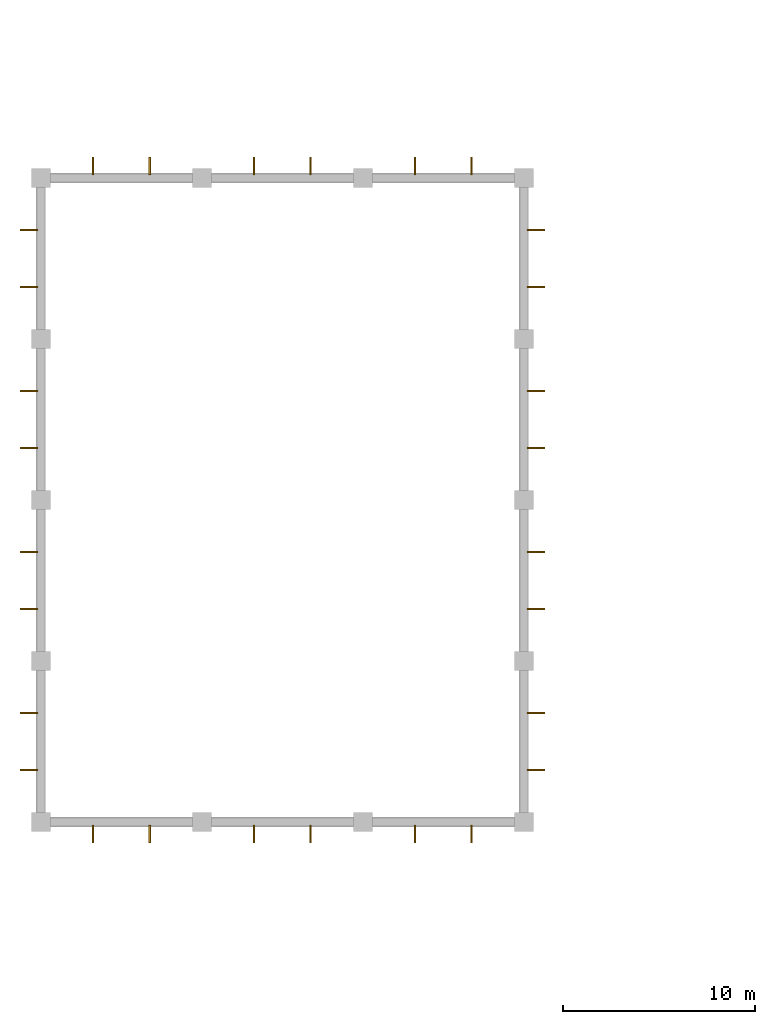
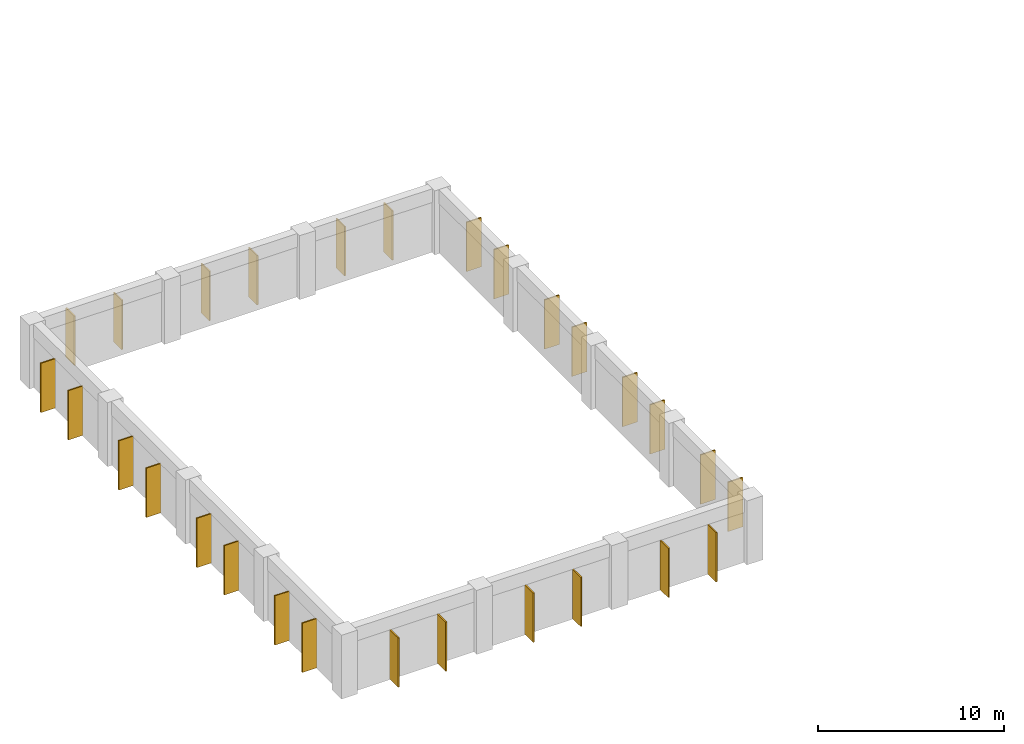
# One storey, part 17 of 18: 28 shading devices.
"""IFC4 building model written with IfcOpenShell, lengths in metres."""

import ifcopenshell
import ifcopenshell.guid

model = None  # the IFC model being written
_history = None  # IfcOwnerHistory: only IFC2X3 demands one
_inside = {}  # id of a spatial element -> (the spatial element, [elements in it])
_under = {}  # id of a project, library or spatial element -> (it, [spatial elements below it])
_declared = {}  # id of a project -> (the project, [libraries it declares])
_typed = {}  # id of a type object -> (the type object, [elements of that type])
_made_of = {}  # id of a material, layer set ... -> (it, [elements and type objects made of it])


def new_model(schema):
    """Start an empty IFC model of exactly this schema.

    Asked for "IFC4X3", IfcOpenShell would pick the latest addendum, in which some entities
    have other attributes; the version numbers below select the first issue.
    IFC2X3 requires an IfcOwnerHistory on every rooted entity: one is made here for all.
    """
    global model, _history
    if schema == "IFC4X3":
        model = ifcopenshell.file(schema_version=(4, 3, 0, 0))
    else:
        model = ifcopenshell.file(schema=schema)
    _inside.clear()
    _under.clear()
    _declared.clear()
    _typed.clear()
    _made_of.clear()
    _history = None
    if model.schema == "IFC2X3":
        org = make("IfcOrganization", Name="unknown")
        user = make(
            "IfcPersonAndOrganization",
            ThePerson=make("IfcPerson", FamilyName="unknown"),
            TheOrganization=org,
        )
        app = make(
            "IfcApplication",
            ApplicationDeveloper=org,
            Version="unknown",
            ApplicationFullName="unknown",
            ApplicationIdentifier="unknown",
        )
        _history = make(
            "IfcOwnerHistory",
            OwningUser=user,
            OwningApplication=app,
            ChangeAction="ADDED",
            CreationDate=0,
        )
    return model


def make(cls, **values):
    """One entity of the class cls with the attributes given. An attribute that is None is left unset."""
    return model.create_entity(
        cls, **{name: value for name, value in values.items() if value is not None}
    )


def rooted(cls, **values):
    """An entity with a GlobalId (a new one), such as an element, a storey or a relation."""
    return make(cls, GlobalId=ifcopenshell.guid.new(), OwnerHistory=_history, **values)


def si_unit(unit_type, name, prefix=None):
    """IfcSIUnit, for example si_unit("LENGTHUNIT", "METRE", prefix="MILLI")."""
    return make("IfcSIUnit", UnitType=unit_type, Prefix=prefix, Name=name)


def assignment(units):
    """IfcUnitAssignment: the units of a project."""
    return None if units is None else make("IfcUnitAssignment", Units=units)


def point(xyz):
    """IfcCartesianPoint."""
    return None if xyz is None else make("IfcCartesianPoint", Coordinates=xyz)


def direction(xyz):
    """IfcDirection."""
    return None if xyz is None else make("IfcDirection", DirectionRatios=xyz)


def frame(location, z_axis=None, x_axis=None):
    """IfcAxis2Placement3D, a coordinate frame: its origin and axes. An axis left out is left unset."""
    return make(
        "IfcAxis2Placement3D",
        Location=point(location),
        Axis=direction(z_axis),
        RefDirection=direction(x_axis),
    )


def frame_2d(location, x_axis=None):
    """IfcAxis2Placement2D, a coordinate frame in the plane: its origin and x axis."""
    return make(
        "IfcAxis2Placement2D", Location=point(location), RefDirection=direction(x_axis)
    )


def origin():
    """The frame at (0, 0, 0) with its axes left unset."""
    return frame((0.0, 0.0, 0.0))


def origin_2d():
    """The frame at (0, 0) in the plane with its x axis left unset."""
    return frame_2d((0.0, 0.0))


def place(relative_to, where):
    """IfcLocalPlacement: puts the frame where relative to a parent placement (None: the world)."""
    return make(
        "IfcLocalPlacement", PlacementRelTo=relative_to, RelativePlacement=where
    )


def context(
    kind, dimensions, precision=None, world=None, true_north=None, identifier=None
):
    """IfcGeometricRepresentationContext, for example the 3D "Model" context."""
    return make(
        "IfcGeometricRepresentationContext",
        ContextIdentifier=identifier,
        ContextType=kind,
        CoordinateSpaceDimension=dimensions,
        Precision=precision,
        WorldCoordinateSystem=world,
        TrueNorth=true_north,
    )


def subcontext(parent, identifier, kind, view, scale=None):
    """IfcGeometricRepresentationSubContext, for example "Body" below "Model"."""
    return make(
        "IfcGeometricRepresentationSubContext",
        ContextIdentifier=identifier,
        ContextType=kind,
        ParentContext=parent,
        TargetScale=scale,
        TargetView=view,
    )


def project(units=None, contexts=None):
    """IfcProject with its units and contexts."""
    return rooted(
        "IfcProject",
        Name="project",
        RepresentationContexts=contexts,
        UnitsInContext=assignment(units),
    )


def spatial(cls, under=None, at=None, **own):
    """A site, building, storey or space (cls), placed at a placement, below another one or the project."""
    s = rooted(cls, ObjectPlacement=at, **own)
    if under is not None:
        _under.setdefault(under.id(), (under, []))[1].append(s)
    return s


def profile(cls, at=None, kind="AREA", **sizes):
    """A parametric profile (cls). Its sizes go by their IFC names, for example OverallWidth=200.0."""
    return make(cls, ProfileType=kind, Position=at, **sizes)


def rectangle(**sizes):
    """IfcRectangleProfileDef."""
    return profile("IfcRectangleProfileDef", **sizes)


def extrude(swept, where, along, depth):
    """IfcExtrudedAreaSolid: the profile swept, set in the frame where, extruded along a direction by depth."""
    return make(
        "IfcExtrudedAreaSolid",
        SweptArea=swept,
        Position=where,
        ExtrudedDirection=direction(along),
        Depth=depth,
    )


def shape(context_of_items, identifier, shape_type, items):
    """IfcShapeRepresentation: the items that make up one representation, for example the "Body"."""
    return make(
        "IfcShapeRepresentation",
        ContextOfItems=context_of_items,
        RepresentationIdentifier=identifier,
        RepresentationType=shape_type,
        Items=items,
    )


def material(Name=None, Category=None):
    """IfcMaterial."""
    return make("IfcMaterial", Name=Name, Category=Category)


def made_of(thing, what):
    """Note that an element or type object is made of a material, layer set ...; save() writes the relation."""
    if what is not None:
        _made_of.setdefault(what.id(), (what, []))[1].append(thing)
    return thing


def type_object(cls, material=None, **own):
    """A type object (cls), such as IfcWallType, which elements share."""
    return made_of(rooted(cls, **own), material)


def element(
    cls,
    number,
    at=None,
    inside=None,
    cuts=None,
    type_object=None,
    material=None,
    context=None,
    identifier="Body",
    shape_type=None,
    held_by="IfcProductDefinitionShape",
    body=None,
    shapes=None,
    **own,
):
    """One element of the class cls, such as IfcWall. Its Tag is "e" and its number.

    at: its placement. inside: the storey or other place that contains it. cuts: it is an
    opening in that element (IfcRelVoidsElement). A single representation is given by context,
    identifier, shape_type and body (its items); several are given by shapes. held_by: the class
    of the entity that holds the representations. save() writes the other relations.
    """
    e = rooted(cls, Tag="e%d" % number, ObjectPlacement=at, **own)
    if body is not None:
        shapes = [shape(context, identifier, shape_type, body)]
    if shapes is not None:
        e.Representation = make(held_by, Representations=shapes)
    if inside is not None:
        _inside.setdefault(inside.id(), (inside, []))[1].append(e)
    if cuts is not None:
        rooted(
            "IfcRelVoidsElement", RelatingBuildingElement=cuts, RelatedOpeningElement=e
        )
    if type_object is not None:
        _typed.setdefault(type_object.id(), (type_object, []))[1].append(e)
    return made_of(e, material)


def aggregate(whole, parts):
    """IfcRelAggregates: a whole, such as a stair, and the parts it consists of."""
    return rooted("IfcRelAggregates", RelatingObject=whole, RelatedObjects=parts)


def save(model, path):
    """Write the relations noted so far, then the file.

    IfcRelAggregates (storeys below a building ...), IfcRelContainedInSpatialStructure (elements
    in a storey), IfcRelDefinesByType, IfcRelAssociatesMaterial and IfcRelDeclares: one each for
    every whole, place, type object, material and project.
    """
    for whole, parts in _under.values():
        aggregate(whole, parts)
    for where, things in _inside.values():
        rooted(
            "IfcRelContainedInSpatialStructure",
            RelatedElements=things,
            RelatingStructure=where,
        )
    for kind, things in _typed.values():
        rooted("IfcRelDefinesByType", RelatedObjects=things, RelatingType=kind)
    for what, things in _made_of.values():
        rooted("IfcRelAssociatesMaterial", RelatedObjects=things, RelatingMaterial=what)
    for by, libraries in _declared.values():
        rooted("IfcRelDeclares", RelatingContext=by, RelatedDefinitions=libraries)
    model.write(path)


model = new_model("IFC4")

# Units and contexts
model_context = context("Model", 3, precision=1e-05, world=origin(), true_north=direction((0.0, 1.0)))
body_context = subcontext(model_context, "Body", "Model", "MODEL_VIEW")
ifc_project = project(units=[si_unit("LENGTHUNIT", "METRE"), si_unit("AREAUNIT", "SQUARE_METRE"), si_unit("VOLUMEUNIT", "CUBIC_METRE"), si_unit("PLANEANGLEUNIT", "RADIAN"), si_unit("MASSUNIT", "GRAM", prefix="KILO")], contexts=[model_context])

# Site, building, storey
site_placement = place(None, origin())
site = spatial("IfcSite", under=ifc_project, at=site_placement, CompositionType="ELEMENT")
building_placement = place(site_placement, origin())
building = spatial("IfcBuilding", under=site, at=building_placement, Name="Xuanlan Plaza Opera House", CompositionType="ELEMENT")
storey_placement = place(building_placement, frame((0.0, 0.0, 32.10009765625)))
storey = spatial("IfcBuildingStorey", under=building, at=storey_placement, Name="L07", CompositionType="ELEMENT", Elevation=32.10009765625)

# Shading devices
ifc_material = material(Name="Anodised Aluminium 6063-T6", Category="aluminium")
shading_device_type = type_object("IfcShadingDeviceType", Name="ENV-SHD-BRS02", PredefinedType="JALOUSIE", material=ifc_material)
for number, where, z_axis, x_axis, name in (
    (1, (44.719970703125, 41.3701171875, 0.02978515625), (0.0, 0.0, 1.0), (0.0, -1.0, 0.0), "Fly Tower Acoustic Vertical Rib L07-0517"),
    (2, (47.679931640625, 41.3701171875, 0.02978515625), (0.0, 0.0, 1.0), (0.0, -1.0, 0.0), "Fly Tower Acoustic Vertical Rib L07-0518"),
    (3, (53.1201171875, 41.3701171875, 0.02978515625), (0.0, 0.0, 1.0), (0.0, -1.0, 0.0), "Fly Tower Acoustic Vertical Rib L07-0519"),
    (4, (56.080078125, 41.3701171875, 0.02978515625), (0.0, 0.0, 1.0), (0.0, -1.0, 0.0), "Fly Tower Acoustic Vertical Rib L07-0520"),
    (5, (61.52001953125, 41.3701171875, 0.02978515625), (0.0, 0.0, 1.0), (0.0, -1.0, 0.0), "Fly Tower Acoustic Vertical Rib L07-0521"),
    (6, (64.47998046875, 41.3701171875, 0.02978515625), (0.0, 0.0, 1.0), (0.0, -1.0, 0.0), "Fly Tower Acoustic Vertical Rib L07-0522"),
    (7, (67.830078125, 44.719970703125, 0.02978515625), (0.0, 0.0, 1.0), (1.0, 0.0, 0.0), "Fly Tower Acoustic Vertical Rib L07-0523"),
    (8, (67.830078125, 47.679931640625, 0.02978515625), (0.0, 0.0, 1.0), (1.0, 0.0, 0.0), "Fly Tower Acoustic Vertical Rib L07-0524"),
    (9, (67.830078125, 53.1201171875, 0.02978515625), (0.0, 0.0, 1.0), (1.0, 0.0, 0.0), "Fly Tower Acoustic Vertical Rib L07-0525"),
    (10, (67.830078125, 56.080078125, 0.02978515625), (0.0, 0.0, 1.0), (1.0, 0.0, 0.0), "Fly Tower Acoustic Vertical Rib L07-0526"),
    (11, (67.830078125, 61.52001953125, 0.02978515625), (0.0, 0.0, 1.0), (1.0, 0.0, 0.0), "Fly Tower Acoustic Vertical Rib L07-0527"),
    (12, (67.830078125, 64.47998046875, 0.02978515625), (0.0, 0.0, 1.0), (1.0, 0.0, 0.0), "Fly Tower Acoustic Vertical Rib L07-0528"),
    (13, (67.830078125, 69.919921875, 0.02978515625), (0.0, 0.0, 1.0), (1.0, 0.0, 0.0), "Fly Tower Acoustic Vertical Rib L07-0529"),
    (14, (67.830078125, 72.8798828125, 0.02978515625), (0.0, 0.0, 1.0), (1.0, 0.0, 0.0), "Fly Tower Acoustic Vertical Rib L07-0530"),
    (15, (64.47998046875, 76.22998046875, 0.02978515625), (0.0, 0.0, 1.0), (0.0, 1.0, 0.0), "Fly Tower Acoustic Vertical Rib L07-0531"),
    (16, (61.52001953125, 76.22998046875, 0.02978515625), (0.0, 0.0, 1.0), (0.0, 1.0, 0.0), "Fly Tower Acoustic Vertical Rib L07-0532"),
    (17, (56.080078125, 76.22998046875, 0.02978515625), (0.0, 0.0, 1.0), (0.0, 1.0, 0.0), "Fly Tower Acoustic Vertical Rib L07-0533"),
    (18, (53.1201171875, 76.22998046875, 0.02978515625), (0.0, 0.0, 1.0), (0.0, 1.0, 0.0), "Fly Tower Acoustic Vertical Rib L07-0534"),
    (19, (47.679931640625, 76.22998046875, 0.02978515625), (0.0, 0.0, 1.0), (0.0, 1.0, 0.0), "Fly Tower Acoustic Vertical Rib L07-0535"),
    (20, (44.719970703125, 76.22998046875, 0.02978515625), (0.0, 0.0, 1.0), (0.0, 1.0, 0.0), "Fly Tower Acoustic Vertical Rib L07-0536"),
    (21, (41.3701171875, 72.8798828125, 0.02978515625), (0.0, 0.0, 1.0), (-1.0, 0.0, 0.0), "Fly Tower Acoustic Vertical Rib L07-0537"),
    (22, (41.3701171875, 69.919921875, 0.02978515625), (0.0, 0.0, 1.0), (-1.0, 0.0, 0.0), "Fly Tower Acoustic Vertical Rib L07-0538"),
    (23, (41.3701171875, 64.47998046875, 0.02978515625), (0.0, 0.0, 1.0), (-1.0, 0.0, 0.0), "Fly Tower Acoustic Vertical Rib L07-0539"),
    (24, (41.3701171875, 61.52001953125, 0.02978515625), (0.0, 0.0, 1.0), (-1.0, 0.0, 0.0), "Fly Tower Acoustic Vertical Rib L07-0540"),
    (25, (41.3701171875, 56.080078125, 0.02978515625), (0.0, 0.0, 1.0), (-1.0, 0.0, 0.0), "Fly Tower Acoustic Vertical Rib L07-0541"),
    (26, (41.3701171875, 53.1201171875, 0.02978515625), (0.0, 0.0, 1.0), (-1.0, 0.0, 0.0), "Fly Tower Acoustic Vertical Rib L07-0542"),
    (27, (41.3701171875, 47.679931640625, 0.02978515625), (0.0, 0.0, 1.0), (-1.0, 0.0, 0.0), "Fly Tower Acoustic Vertical Rib L07-0543"),
    (28, (41.3701171875, 44.719970703125, 0.02978515625), (0.0, 0.0, 1.0), (-1.0, 0.0, 0.0), "Fly Tower Acoustic Vertical Rib L07-0544"),
):
    element("IfcShadingDevice", number, at=place(storey_placement, frame(where, z_axis=z_axis, x_axis=x_axis)), inside=storey, type_object=shading_device_type, Name=name, PredefinedType="JALOUSIE", context=body_context, shape_type="SweptSolid", body=[
        extrude(rectangle(XDim=0.919921875, YDim=0.080078125, at=origin_2d()), origin(), (0.0, 0.0, 1.0), 3.239990234375),
    ])

save(model, "model.ifc")
